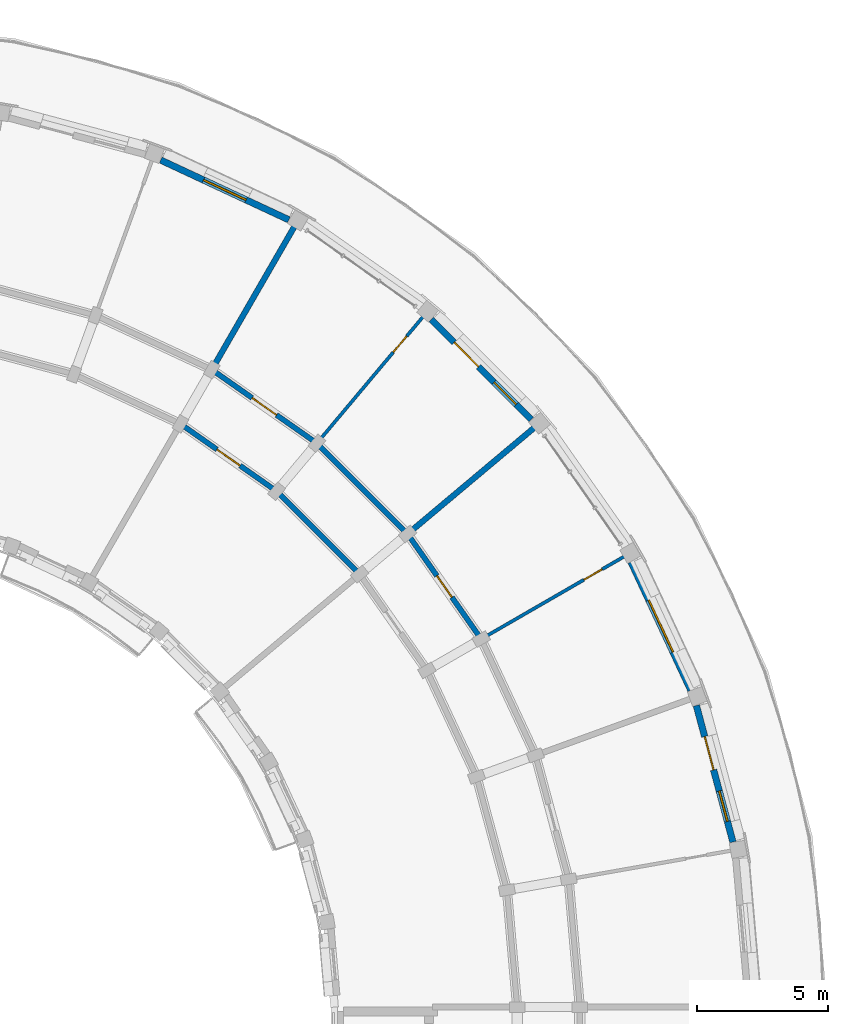
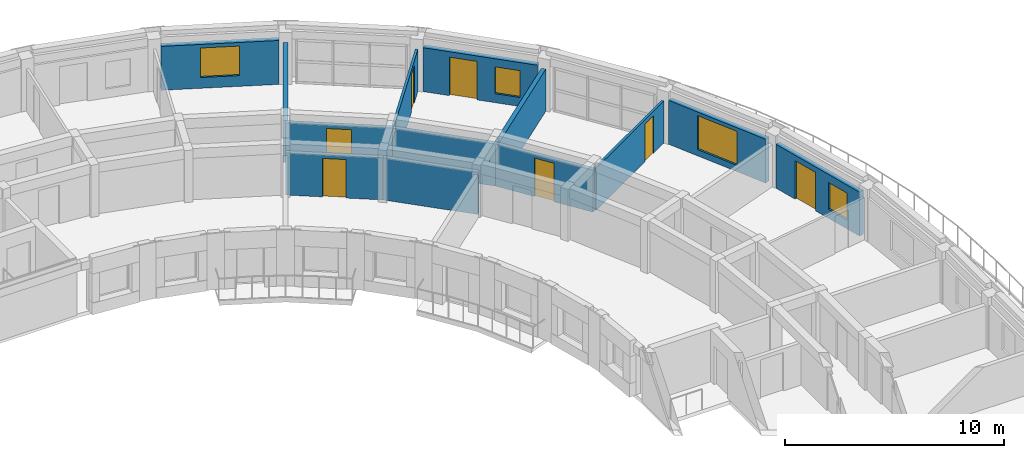
# One storey, part 21 of 32: 13 walls, 7 doors, 4 windows, 11 openings.
"""IFC4 building model written with IfcOpenShell, lengths in metres."""

from ifc_helpers import new_model, si_unit, direction, frame, frame_2d, origin, place, context, subcontext, project, spatial, rectangle, extrude, material, layer, layer_set, type_object, element, fill, save


model = new_model("IFC4")

# Units and contexts
model_context = context("Model", 3, precision=1e-05, world=origin(), true_north=direction((0.0, 1.0)))
body_context = subcontext(model_context, "Body", "Model", "MODEL_VIEW")
ifc_project = project(units=[si_unit("LENGTHUNIT", "METRE"), si_unit("AREAUNIT", "SQUARE_METRE"), si_unit("VOLUMEUNIT", "CUBIC_METRE"), si_unit("PLANEANGLEUNIT", "RADIAN"), si_unit("MASSUNIT", "GRAM", prefix="KILO")], contexts=[model_context])

# Site, building, storey
site_placement = place(None, origin())
site = spatial("IfcSite", under=ifc_project, at=site_placement, CompositionType="ELEMENT")
building_placement = place(site_placement, origin())
building = spatial("IfcBuilding", under=site, at=building_placement, Name="Kiranvali Square Residences", CompositionType="ELEMENT")
storey_placement = place(building_placement, frame((0.0, 0.0, 40.199951171875)))
storey = spatial("IfcBuildingStorey", under=building, at=storey_placement, Name="L12", CompositionType="ELEMENT", Elevation=40.199951171875)

# Wall, opening, door
ifc_material_1 = material(Name="Autoclaved aerated concrete blockwork masonry", Category="masonry")
ifc_layer_1 = layer(ifc_material_1, 0.199951171875)
ifc_layer_set_1 = layer_set([ifc_layer_1], Name="Autoclaved aerated concrete blockwork masonry")
wall_type_1 = type_object("IfcWallType", Name="WL-COR-200", PredefinedType="STANDARD", material=ifc_layer_set_1)
wall_1_placement = place(storey_placement, frame((132.699951171875, 110.1435546875, 0.0), z_axis=(0.0, 0.0, 1.0), x_axis=(0.819155404658, -0.573571637217, 0.0)))
wall_1 = element("IfcWall", 1, at=wall_1_placement, inside=storey, type_object=wall_type_1, Name="L12 architectural wall WL-L12-B-CCI-3", PredefinedType="STANDARD", context=body_context, shape_type="SweptSolid", body=[
    extrude(rectangle(XDim=4.497314453125, YDim=0.199951171875, at=frame_2d((2.24853515625, 0.0))), origin(), (0.0, 0.0, 1.0), 2.35205078125),
])
opening_1_placement = place(wall_1_placement, frame((1.708740234375, 0.0, 0.0)))
opening_1 = element("IfcOpeningElement", 2, at=opening_1_placement, cuts=wall_1, Name="Opening FD-APT-60C", PredefinedType="OPENING", context=body_context, shape_type="SweptSolid", body=[
    extrude(rectangle(XDim=1.080078125, YDim=2.14990234375, at=frame_2d((0.5400390625, 1.074951171875))), frame((0.0, 0.10986328125, 0.0), z_axis=(0.0, -1.0, 0.0), x_axis=(1.0, 0.0, 0.0)), (0.0, 0.0, 1.0), 0.219970703125),
])
ifc_material_2 = material(Name="Fire-rated acoustic hardwood and mineral-core door assembly", Category="wood")
door_type_1 = type_object("IfcDoorType", Name="DR-APT-1080", OperationType="NOTDEFINED", PredefinedType="DOOR", material=ifc_material_2)
door_1_placement = place(opening_1_placement, frame((1.080078125, 0.0, 0.0), z_axis=(0.0, 0.0, 1.0), x_axis=(-1.0, 0.0, 0.0)))
door_1 = element("IfcDoor", 3, at=door_1_placement, inside=storey, type_object=door_type_1, Name="L12 door DR-L12-1724 (DR-APT-1080)", OperationType="SINGLE_SWING_RIGHT", OverallHeight=2.14990234375, OverallWidth=1.080078125, PredefinedType="DOOR", context=body_context, shape_type="SweptSolid", body=[
    extrude(rectangle(XDim=1.080078125, YDim=2.14990234375, at=frame_2d((0.5400390625, 1.074951171875))), frame((0.0, 0.02490234375, 0.0), z_axis=(0.0, -1.0, 0.0), x_axis=(1.0, 0.0, 0.0)), (0.0, 0.0, 1.0), 0.050048828125),
])
fill(opening_1, door_1)

wall_2_placement = place(storey_placement, frame((133.89990234375, 112.221923828125, 0.0), z_axis=(0.0, 0.0, 1.0), x_axis=(0.819140911474, -0.573592335331, 0.0)))
wall_2 = element("IfcWall", 4, at=wall_2_placement, inside=storey, type_object=wall_type_1, Name="L12 architectural wall WL-L12-B-CCO-3", PredefinedType="STANDARD", context=body_context, shape_type="SweptSolid", body=[
    extrude(rectangle(XDim=4.915771484375, YDim=0.199951171875, at=frame_2d((2.4580078125, 0.0))), origin(), (0.0, 0.0, 1.0), 2.35205078125),
])
opening_2_placement = place(wall_2_placement, frame((1.8876953125, 0.0, 0.0)))
opening_2 = element("IfcOpeningElement", 5, at=opening_2_placement, cuts=wall_2, Name="Opening FD-APT-60D", PredefinedType="OPENING", context=body_context, shape_type="SweptSolid", body=[
    extrude(rectangle(XDim=1.139892578125, YDim=2.14990234375, at=frame_2d((0.56982421875, 1.074951171875))), frame((0.0, 0.10986328125, 0.0), z_axis=(0.0, -1.0, 0.0), x_axis=(1.0, 0.0, 0.0)), (0.0, 0.0, 1.0), 0.219970703125),
])
door_type_2 = type_object("IfcDoorType", Name="DR-APT-1140", OperationType="NOTDEFINED", PredefinedType="DOOR", material=ifc_material_2)
door_2_placement = place(opening_2_placement, frame((1.139892578125, 0.0, 0.0), z_axis=(0.0, 0.0, 1.0), x_axis=(-1.0, 0.0, 0.0)))
door_2 = element("IfcDoor", 6, at=door_2_placement, inside=storey, type_object=door_type_2, Name="L12 door DR-L12-1720 (DR-APT-1140)", OperationType="SINGLE_SWING_RIGHT", OverallHeight=2.14990234375, OverallWidth=1.139892578125, PredefinedType="DOOR", context=body_context, shape_type="SweptSolid", body=[
    extrude(rectangle(XDim=1.139892578125, YDim=2.14990234375, at=frame_2d((0.56982421875, 1.074951171875))), frame((0.0, 0.02490234375, 0.0), z_axis=(0.0, -1.0, 0.0), x_axis=(1.0, 0.0, 0.0)), (0.0, 0.0, 1.0), 0.050048828125),
])
fill(opening_2, door_2)

# Walls
wall_3_placement = place(storey_placement, frame((136.384033203125, 107.56396484375, 0.0), z_axis=(0.0, 0.0, 1.0), x_axis=(0.707106781187, -0.707106781187, 0.0)))
element("IfcWall", 7, at=wall_3_placement, inside=storey, type_object=wall_type_1, Name="L12 architectural wall WL-L12-B-CCI-4", PredefinedType="STANDARD", context=body_context, shape_type="SweptSolid", body=[
    extrude(rectangle(XDim=4.4970703125, YDim=0.199951171875, at=frame_2d((2.24853515625, 0.0))), origin(), (0.0, 0.0, 1.0), 2.35205078125),
])
wall_4_placement = place(storey_placement, frame((137.926513671875, 109.40234375, 0.0), z_axis=(0.0, 0.0, 1.0), x_axis=(0.707106781187, -0.707106781187, 0.0)))
element("IfcWall", 8, at=wall_4_placement, inside=storey, type_object=wall_type_1, Name="L12 architectural wall WL-L12-B-CCO-4", PredefinedType="STANDARD", context=body_context, shape_type="SweptSolid", body=[
    extrude(rectangle(XDim=4.91552734375, YDim=0.199951171875, at=frame_2d((2.457763671875, 0.0))), origin(), (0.0, 0.0, 1.0), 2.35205078125),
])

# Wall, opening, door
wall_5_placement = place(storey_placement, frame((141.40234375, 105.926513671875, 0.0), z_axis=(0.0, 0.0, 1.0), x_axis=(0.573592335331, -0.819140911474, 0.0)))
wall_5 = element("IfcWall", 9, at=wall_5_placement, inside=storey, type_object=wall_type_1, Name="L12 architectural wall WL-L12-B-CCO-5", PredefinedType="STANDARD", context=body_context, shape_type="SweptSolid", body=[
    extrude(rectangle(XDim=4.915771484375, YDim=0.199951171875, at=frame_2d((2.4580078125, 0.0))), origin(), (0.0, 0.0, 1.0), 2.35205078125),
])
opening_3_placement = place(wall_5_placement, frame((1.957763671875, 0.0, 0.0)))
opening_3 = element("IfcOpeningElement", 10, at=opening_3_placement, cuts=wall_5, Name="Opening FD-APT-60", PredefinedType="OPENING", context=body_context, shape_type="SweptSolid", body=[
    extrude(rectangle(XDim=1.0, YDim=2.14990234375, at=frame_2d((0.5, 1.074951171875))), frame((0.0, 0.10986328125, 0.0), z_axis=(0.0, -1.0, 0.0), x_axis=(1.0, 0.0, 0.0)), (0.0, 0.0, 1.0), 0.219970703125),
])
door_type_3 = type_object("IfcDoorType", Name="DR-APT-1000", OperationType="NOTDEFINED", PredefinedType="DOOR", material=ifc_material_2)
door_3_placement = place(opening_3_placement, origin())
door_3 = element("IfcDoor", 11, at=door_3_placement, inside=storey, type_object=door_type_3, Name="L12 door DR-L12-1721 (DR-APT-1000)", OperationType="SINGLE_SWING_LEFT", OverallHeight=2.14990234375, OverallWidth=1.0, PredefinedType="DOOR", context=body_context, shape_type="SweptSolid", body=[
    extrude(rectangle(XDim=1.0, YDim=2.14990234375, at=frame_2d((0.5, 1.074951171875))), frame((0.0, 0.02490234375, 0.0), z_axis=(0.0, -1.0, 0.0), x_axis=(1.0, 0.0, 0.0)), (0.0, 0.0, 1.0), 0.050048828125),
])
fill(opening_3, door_3)

# Walls
ifc_layer_2 = layer(ifc_material_1, 0.219970703125)
ifc_layer_set_2 = layer_set([ifc_layer_2], Name="Autoclaved aerated concrete blockwork masonry")
wall_type_2 = type_object("IfcWallType", Name="WL-DEM-220", PredefinedType="STANDARD", material=ifc_layer_set_2)
for number, where, z_axis, x_axis, name in (
    (12, (133.949951171875, 112.30859375, 0.0), (0.0, 0.0, 1.0), (0.500010116563, 0.866019562905, 0.0), "L12 architectural wall WL-L12-B-RADO-3"),
    (13, (141.47900390625, 105.990966796875, 0.0), (0.0, 0.0, 1.0), (0.766058117009, 0.642771313427, 0.0), "L12 architectural wall WL-L12-B-RADO-5"),
):
    element("IfcWall", number, at=place(storey_placement, frame(where, z_axis=z_axis, x_axis=x_axis)), inside=storey, type_object=wall_type_2, Name=name, PredefinedType="STANDARD", context=body_context, shape_type="SweptSolid", body=[
        extrude(rectangle(XDim=6.219970703125, YDim=0.219970703125, at=frame_2d((3.10986328125, 0.0))), origin(), (0.0, 0.0, 1.0), 2.35205078125),
    ])

# Wall, opening, window
ifc_material_3 = material(Name="Breathable lime-rendered clay brick masonry", Category="masonry")
ifc_layer_3 = layer(ifc_material_3, 0.25)
ifc_layer_set_3 = layer_set([ifc_layer_3], Name="Breathable lime-rendered clay brick masonry")
wall_type_3 = type_object("IfcWallType", Name="WL-EXT-250", PredefinedType="STANDARD", material=ifc_layer_set_3)
wall_6_placement = place(storey_placement, frame((131.944580078125, 120.25048828125, 0.0), z_axis=(0.0, 0.0, 1.0), x_axis=(0.90629483869, -0.42264602845, 0.0)))
wall_6 = element("IfcWall", 14, at=wall_6_placement, inside=storey, type_object=wall_type_3, Name="L12 exterior wall B-L12-CRV-02", PredefinedType="STANDARD", context=body_context, shape_type="SweptSolid", body=[
    extrude(rectangle(XDim=5.414794921875, YDim=0.25, at=frame_2d((2.70751953125, 0.0))), origin(), (0.0, 0.0, 1.0), 2.4521484375),
])
opening_4_placement = place(wall_6_placement, frame((1.807373046875, 0.0, 0.60205078125)))
opening_4 = element("IfcOpeningElement", 15, at=opening_4_placement, cuts=wall_6, Name="Opening W-04", PredefinedType="OPENING", context=body_context, shape_type="SweptSolid", body=[
    extrude(rectangle(XDim=1.800048828125, YDim=1.64990234375, at=frame_2d((0.89990234375, 0.824951171875))), frame((0.0, 0.135009765625, 0.0), z_axis=(0.0, -1.0, 0.0), x_axis=(1.0, 0.0, 0.0)), (0.0, 0.0, 1.0), 0.27001953125),
])
ifc_material_4 = material(Name="Solar-control low-e double glazing", Category="glass")
window_type_1 = type_object("IfcWindowType", Name="WIN-RES-1800x1650", PartitioningType="DOUBLE_PANEL_VERTICAL", PredefinedType="WINDOW", material=ifc_material_4)
window_1_placement = place(opening_4_placement, origin())
window_1 = element("IfcWindow", 16, at=window_1_placement, inside=storey, type_object=window_type_1, Name="L12 recessed window B-L12-CRV-02", OverallHeight=1.64990234375, OverallWidth=1.800048828125, PartitioningType="DOUBLE_PANEL_VERTICAL", PredefinedType="WINDOW", context=body_context, shape_type="SweptSolid", body=[
    extrude(rectangle(XDim=1.800048828125, YDim=1.64990234375, at=frame_2d((0.89990234375, 0.824951171875))), frame((0.0, 0.030029296875, 0.0), z_axis=(0.0, -1.0, 0.0), x_axis=(1.0, 0.0, 0.0)), (0.0, 0.0, 1.0), 0.06005859375),
])
fill(opening_4, window_1)

# Wall, openings, door, window
wall_7_placement = place(storey_placement, frame((142.310791015625, 114.1396484375, 0.0), z_axis=(0.0, 0.0, 1.0), x_axis=(0.707106781187, -0.707106781187, 0.0)))
wall_7 = element("IfcWall", 17, at=wall_7_placement, inside=storey, type_object=wall_type_3, Name="L12 exterior wall B-L12-CRV-04", PredefinedType="STANDARD", context=body_context, shape_type="SweptSolid", body=[
    extrude(rectangle(XDim=5.414794921875, YDim=0.25, at=frame_2d((2.70751953125, 0.0))), origin(), (0.0, 0.0, 1.0), 2.4521484375),
])
opening_5_placement = place(wall_7_placement, frame((3.395263671875, 0.0, 0.501953125)))
opening_5 = element("IfcOpeningElement", 18, at=opening_5_placement, cuts=wall_7, Name="Opening W-06", PredefinedType="OPENING", context=body_context, shape_type="SweptSolid", body=[
    extrude(rectangle(XDim=1.199951171875, YDim=1.5, at=frame_2d((0.60009765625, 0.75))), frame((0.0, 0.135009765625, 0.0), z_axis=(0.0, -1.0, 0.0), x_axis=(1.0, 0.0, 0.0)), (0.0, 0.0, 1.0), 0.27001953125),
])
opening_6_placement = place(wall_7_placement, frame((1.235107421875, 0.0, 0.0)))
opening_6 = element("IfcOpeningElement", 19, at=opening_6_placement, cuts=wall_7, Name="Opening ED-BAL-3", PredefinedType="OPENING", context=body_context, shape_type="SweptSolid", body=[
    extrude(rectangle(XDim=1.320068359375, YDim=2.14990234375, at=frame_2d((0.66015625, 1.074951171875))), frame((0.0, 0.135009765625, 0.0), z_axis=(0.0, -1.0, 0.0), x_axis=(1.0, 0.0, 0.0)), (0.0, 0.0, 1.0), 0.27001953125),
])
ifc_material_5 = material(Name="Anodised bronze aluminium framing", Category="aluminium")
door_type_4 = type_object("IfcDoorType", Name="DR-BAL-1320", OperationType="NOTDEFINED", PredefinedType="DOOR", material=ifc_material_5)
door_4_placement = place(opening_6_placement, origin())
door_4 = element("IfcDoor", 20, at=door_4_placement, inside=storey, type_object=door_type_4, Name="L12 balcony terrace door", OperationType="SINGLE_SWING_RIGHT", OverallHeight=2.14990234375, OverallWidth=1.320068359375, PredefinedType="DOOR", context=body_context, shape_type="SweptSolid", body=[
    extrude(rectangle(XDim=1.320068359375, YDim=2.14990234375, at=frame_2d((0.66015625, 1.074951171875))), frame((0.0, 0.02490234375, 0.0), z_axis=(0.0, -1.0, 0.0), x_axis=(1.0, 0.0, 0.0)), (0.0, 0.0, 1.0), 0.050048828125),
])
fill(opening_6, door_4)
window_type_2 = type_object("IfcWindowType", Name="WIN-RES-1200x1500", PartitioningType="SINGLE_PANEL", PredefinedType="WINDOW", material=ifc_material_4)
window_2_placement = place(opening_5_placement, origin())
window_2 = element("IfcWindow", 21, at=window_2_placement, inside=storey, type_object=window_type_2, Name="L12 recessed window B-L12-CRV-04", OverallHeight=1.5, OverallWidth=1.199951171875, PartitioningType="SINGLE_PANEL", PredefinedType="WINDOW", context=body_context, shape_type="SweptSolid", body=[
    extrude(rectangle(XDim=1.199951171875, YDim=1.5, at=frame_2d((0.60009765625, 0.75))), frame((0.0, 0.030029296875, 0.0), z_axis=(0.0, -1.0, 0.0), x_axis=(1.0, 0.0, 0.0)), (0.0, 0.0, 1.0), 0.06005859375),
])
fill(opening_5, window_2)

# Wall, opening, window
wall_8_placement = place(storey_placement, frame((149.9619140625, 104.85205078125, 0.0), z_axis=(0.0, 0.0, 1.0), x_axis=(0.42264602845, -0.90629483869, 0.0)))
wall_8 = element("IfcWall", 22, at=wall_8_placement, inside=storey, type_object=wall_type_3, Name="L12 exterior wall B-L12-CRV-06", PredefinedType="STANDARD", context=body_context, shape_type="SweptSolid", body=[
    extrude(rectangle(XDim=5.414794921875, YDim=0.25, at=frame_2d((2.70751953125, 0.0))), origin(), (0.0, 0.0, 1.0), 2.4521484375),
])
opening_7_placement = place(wall_8_placement, frame((1.607421875, 0.0, 0.35205078125)))
opening_7 = element("IfcOpeningElement", 23, at=opening_7_placement, cuts=wall_8, Name="Opening W-20", PredefinedType="OPENING", context=body_context, shape_type="SweptSolid", body=[
    extrude(rectangle(XDim=2.199951171875, YDim=1.89990234375, at=frame_2d((1.10009765625, 0.949951171875))), frame((0.0, 0.135009765625, 0.0), z_axis=(0.0, -1.0, 0.0), x_axis=(1.0, 0.0, 0.0)), (0.0, 0.0, 1.0), 0.27001953125),
])
window_type_3 = type_object("IfcWindowType", Name="WIN-TER-2200x1900", PartitioningType="TRIPLE_PANEL_VERTICAL", PredefinedType="WINDOW", material=ifc_material_4)
window_3_placement = place(opening_7_placement, origin())
window_3 = element("IfcWindow", 24, at=window_3_placement, inside=storey, type_object=window_type_3, Name="L12 recessed window B-L12-CRV-06", OverallHeight=1.89990234375, OverallWidth=2.199951171875, PartitioningType="TRIPLE_PANEL_VERTICAL", PredefinedType="WINDOW", context=body_context, shape_type="SweptSolid", body=[
    extrude(rectangle(XDim=2.199951171875, YDim=1.89990234375, at=frame_2d((1.10009765625, 0.949951171875))), frame((0.0, 0.030029296875, 0.0), z_axis=(0.0, -1.0, 0.0), x_axis=(1.0, 0.0, 0.0)), (0.0, 0.0, 1.0), 0.06005859375),
])
fill(opening_7, window_3)

# Wall, openings, door, window
wall_9_placement = place(storey_placement, frame((152.46484375, 99.35546875, 0.0), z_axis=(0.0, 0.0, 1.0), x_axis=(0.258807453254, -0.965928932241, 0.0)))
wall_9 = element("IfcWall", 25, at=wall_9_placement, inside=storey, type_object=wall_type_3, Name="L12 exterior wall B-L12-CRV-07", PredefinedType="STANDARD", context=body_context, shape_type="SweptSolid", body=[
    extrude(rectangle(XDim=5.414794921875, YDim=0.25, at=frame_2d((2.70751953125, 0.0))), origin(), (0.0, 0.0, 1.0), 2.4521484375),
])
opening_8_placement = place(wall_9_placement, frame((3.395263671875, 0.0, 0.501953125)))
opening_8 = element("IfcOpeningElement", 26, at=opening_8_placement, cuts=wall_9, Name="Opening W-06", PredefinedType="OPENING", context=body_context, shape_type="SweptSolid", body=[
    extrude(rectangle(XDim=1.199951171875, YDim=1.5, at=frame_2d((0.60009765625, 0.75))), frame((0.0, 0.135009765625, 0.0), z_axis=(0.0, -1.0, 0.0), x_axis=(1.0, 0.0, 0.0)), (0.0, 0.0, 1.0), 0.27001953125),
])
opening_9_placement = place(wall_9_placement, frame((1.235107421875, 0.0, 0.0)))
opening_9 = element("IfcOpeningElement", 27, at=opening_9_placement, cuts=wall_9, Name="Opening ED-BAL-3", PredefinedType="OPENING", context=body_context, shape_type="SweptSolid", body=[
    extrude(rectangle(XDim=1.320068359375, YDim=2.14990234375, at=frame_2d((0.66015625, 1.074951171875))), frame((0.0, 0.135009765625, 0.0), z_axis=(0.0, -1.0, 0.0), x_axis=(1.0, 0.0, 0.0)), (0.0, 0.0, 1.0), 0.27001953125),
])
door_5_placement = place(opening_9_placement, origin())
door_5 = element("IfcDoor", 28, at=door_5_placement, inside=storey, type_object=door_type_4, Name="L12 balcony terrace door", OperationType="SINGLE_SWING_LEFT", OverallHeight=2.14990234375, OverallWidth=1.320068359375, PredefinedType="DOOR", context=body_context, shape_type="SweptSolid", body=[
    extrude(rectangle(XDim=1.320068359375, YDim=2.14990234375, at=frame_2d((0.66015625, 1.074951171875))), frame((0.0, 0.02490234375, 0.0), z_axis=(0.0, -1.0, 0.0), x_axis=(1.0, 0.0, 0.0)), (0.0, 0.0, 1.0), 0.050048828125),
])
fill(opening_9, door_5)
window_4_placement = place(opening_8_placement, origin())
window_4 = element("IfcWindow", 29, at=window_4_placement, inside=storey, type_object=window_type_2, Name="L12 recessed window B-L12-CRV-07", OverallHeight=1.5, OverallWidth=1.199951171875, PartitioningType="SINGLE_PANEL", PredefinedType="WINDOW", context=body_context, shape_type="SweptSolid", body=[
    extrude(rectangle(XDim=1.199951171875, YDim=1.5, at=frame_2d((0.60009765625, 0.75))), frame((0.0, 0.030029296875, 0.0), z_axis=(0.0, -1.0, 0.0), x_axis=(1.0, 0.0, 0.0)), (0.0, 0.0, 1.0), 0.06005859375),
])
fill(opening_8, window_4)

# Wall, opening, door
ifc_material_6 = material(Name="Acoustic gypsum board drylined partition", Category="gypsum")
ifc_layer_4 = layer(ifc_material_6, 0.125)
ifc_layer_set_4 = layer_set([ifc_layer_4], Name="Acoustic gypsum board drylined partition")
wall_type_4 = type_object("IfcWallType", Name="WL-PRT-125", PredefinedType="PARTITIONING", material=ifc_layer_set_4)
wall_10_placement = place(storey_placement, frame((137.990966796875, 109.47900390625, 0.0), z_axis=(0.0, 0.0, 1.0), x_axis=(0.642771313427, 0.766058117009, 0.0)))
wall_10 = element("IfcWall", 30, at=wall_10_placement, inside=storey, type_object=wall_type_4, Name="L12 architectural wall WL-L12-B-RADO-4", PredefinedType="PARTITIONING", context=body_context, shape_type="SweptSolid", body=[
    extrude(rectangle(XDim=6.219970703125, YDim=0.125, at=frame_2d((3.10986328125, 0.0))), origin(), (0.0, 0.0, 1.0), 2.35205078125),
])
opening_10_placement = place(wall_10_placement, frame((4.44970703125, 0.0, 0.0)))
opening_10 = element("IfcOpeningElement", 31, at=opening_10_placement, cuts=wall_10, Name="Opening ID-WET", PredefinedType="OPENING", context=body_context, shape_type="SweptSolid", body=[
    extrude(rectangle(XDim=0.800048828125, YDim=2.10009765625, at=frame_2d((0.39990234375, 1.050048828125))), frame((0.0, 0.072509765625, 0.0), z_axis=(0.0, -1.0, 0.0), x_axis=(1.0, 0.0, 0.0)), (0.0, 0.0, 1.0), 0.14501953125),
])
ifc_material_7 = material(Name="Solid seasoned teak hardwood joinery", Category="wood")
door_type_5 = type_object("IfcDoorType", Name="DR-WET-800", OperationType="NOTDEFINED", PredefinedType="DOOR", material=ifc_material_7)
door_6_placement = place(opening_10_placement, frame((0.800048828125, 0.0, 0.0), z_axis=(0.0, 0.0, 1.0), x_axis=(-1.0, 0.0, 0.0)))
door_6 = element("IfcDoor", 32, at=door_6_placement, inside=storey, type_object=door_type_5, Name="L12 door DR-L12-1716 (DR-WET-800)", OperationType="SINGLE_SWING_RIGHT", OverallHeight=2.10009765625, OverallWidth=0.800048828125, PredefinedType="DOOR", context=body_context, shape_type="SweptSolid", body=[
    extrude(rectangle(XDim=0.800048828125, YDim=2.10009765625, at=frame_2d((0.39990234375, 1.050048828125))), frame((0.0, 0.02490234375, 0.0), z_axis=(0.0, -1.0, 0.0), x_axis=(1.0, 0.0, 0.0)), (0.0, 0.0, 1.0), 0.050048828125),
])
fill(opening_10, door_6)

wall_11_placement = place(storey_placement, frame((144.30859375, 101.949951171875, 0.0), z_axis=(0.0, 0.0, 1.0), x_axis=(0.866019562905, 0.500010116563, 0.0)))
wall_11 = element("IfcWall", 33, at=wall_11_placement, inside=storey, type_object=wall_type_4, Name="L12 architectural wall WL-L12-B-RADO-6", PredefinedType="PARTITIONING", context=body_context, shape_type="SweptSolid", body=[
    extrude(rectangle(XDim=6.219970703125, YDim=0.125, at=frame_2d((3.10986328125, 0.0))), origin(), (0.0, 0.0, 1.0), 2.35205078125),
])
opening_11_placement = place(wall_11_placement, frame((4.44970703125, 0.0, 0.0)))
opening_11 = element("IfcOpeningElement", 34, at=opening_11_placement, cuts=wall_11, Name="Opening ID-WET", PredefinedType="OPENING", context=body_context, shape_type="SweptSolid", body=[
    extrude(rectangle(XDim=0.800048828125, YDim=2.10009765625, at=frame_2d((0.39990234375, 1.050048828125))), frame((0.0, 0.072509765625, 0.0), z_axis=(0.0, -1.0, 0.0), x_axis=(1.0, 0.0, 0.0)), (0.0, 0.0, 1.0), 0.14501953125),
])
door_7_placement = place(opening_11_placement, origin())
door_7 = element("IfcDoor", 35, at=door_7_placement, inside=storey, type_object=door_type_5, Name="L12 door DR-L12-1717 (DR-WET-800)", OperationType="SINGLE_SWING_LEFT", OverallHeight=2.10009765625, OverallWidth=0.800048828125, PredefinedType="DOOR", context=body_context, shape_type="SweptSolid", body=[
    extrude(rectangle(XDim=0.800048828125, YDim=2.10009765625, at=frame_2d((0.39990234375, 1.050048828125))), frame((0.0, 0.02490234375, 0.0), z_axis=(0.0, -1.0, 0.0), x_axis=(1.0, 0.0, 0.0)), (0.0, 0.0, 1.0), 0.050048828125),
])
fill(opening_11, door_7)

save(model, "model.ifc")
